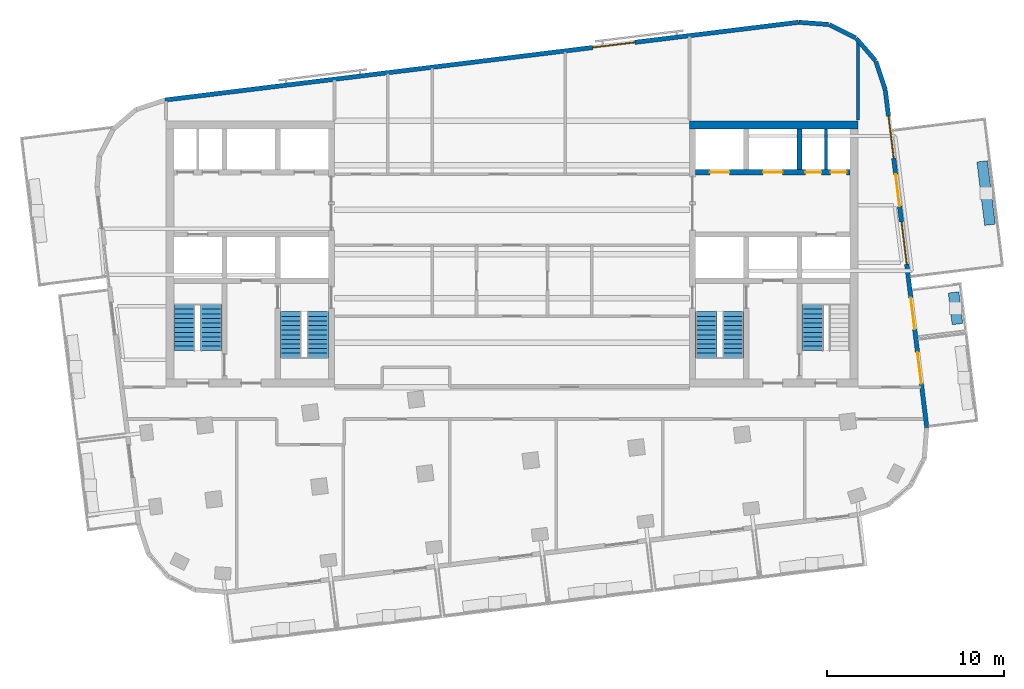
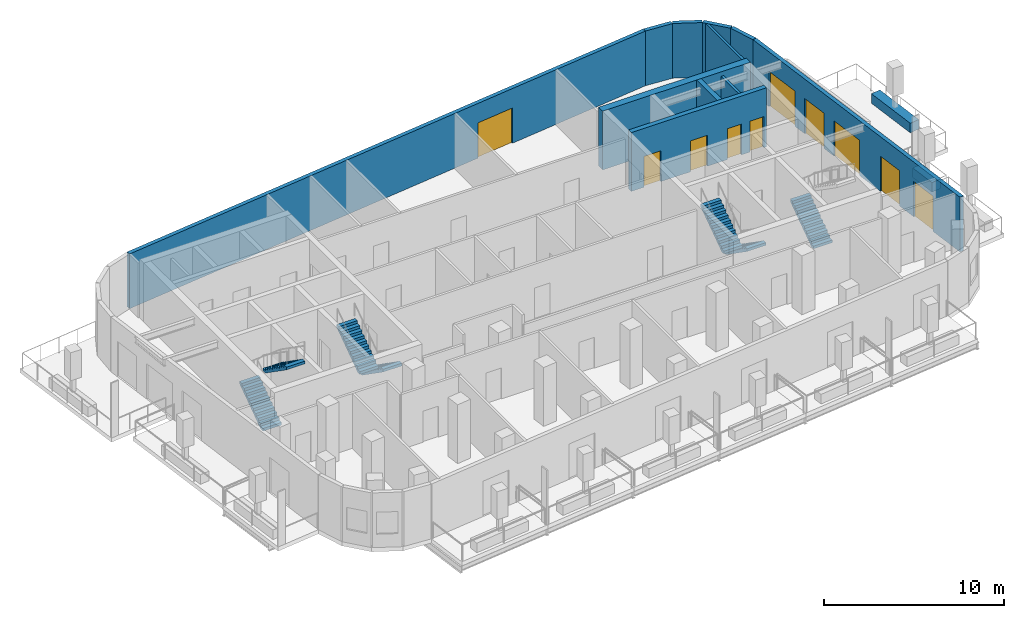
# One storey, part 6 of 10: 13 walls, 7 doors, 7 stair flights, 3 windows, 10 openings, 4 elements without a shape of their own.
"""IFC4 building model written with IfcOpenShell, lengths in metres."""

from ifc_helpers import new_model, si_unit, direction, frame, frame_2d, origin, place, context, subcontext, project, spatial, polyline, rectangle, outline, extrude, material, layer, layer_set, type_object, element, fill, aggregate, save


model = new_model("IFC4")

# Units and contexts
model_context = context("Model", 3, precision=1e-05, world=origin(), true_north=direction((0.0, 1.0)))
body_context = subcontext(model_context, "Body", "Model", "MODEL_VIEW")
ifc_project = project(units=[si_unit("LENGTHUNIT", "METRE"), si_unit("AREAUNIT", "SQUARE_METRE"), si_unit("VOLUMEUNIT", "CUBIC_METRE"), si_unit("PLANEANGLEUNIT", "RADIAN"), si_unit("MASSUNIT", "GRAM", prefix="KILO")], contexts=[model_context])

# Site, building, storey
site_placement = place(None, origin())
site = spatial("IfcSite", under=ifc_project, at=site_placement, CompositionType="ELEMENT")
building_placement = place(site_placement, origin())
building = spatial("IfcBuilding", under=site, at=building_placement, Name="Torana Hotel and Residences", CompositionType="ELEMENT")
storey_placement = place(building_placement, frame((0.0, 0.0, 334.60009765625)))
storey = spatial("IfcBuildingStorey", under=building, at=storey_placement, Name="L88", CompositionType="ELEMENT", Elevation=334.60009765625)

# Wall, openings, doors
ifc_material_1 = material(Name="Concrete C60/75", Category="concrete")
ifc_layer_1 = layer(ifc_material_1, 0.300048828125)
ifc_layer_set_1 = layer_set([ifc_layer_1], Name="CORE WALL 300 C60/75")
wall_type_1 = type_object("IfcWallType", Name="CORE WALL 300 C60/75", PredefinedType="SHEAR", material=ifc_layer_set_1)
wall_1_placement = place(storey_placement, frame((10.35009765625, -2.89990234375, 0.0), z_axis=(0.0, 0.0, 1.0), x_axis=(1.0, 0.0, 0.0)))
wall_1 = element("IfcWall", 1, at=wall_1_placement, inside=storey, type_object=wall_type_1, Name="Core wall E row-N", PredefinedType="SHEAR", context=body_context, shape_type="SweptSolid", body=[
    extrude(rectangle(XDim=8.699951171875, YDim=0.300048828125, at=frame_2d((4.35009765625, 0.0))), origin(), (0.0, 0.0, 1.0), 4.0),
])
opening_1_placement = place(wall_1_placement, frame((0.800048828125, 0.0, 0.0)))
opening_1 = element("IfcOpeningElement", 2, at=opening_1_placement, cuts=wall_1, Name="Opening LD", PredefinedType="OPENING", context=body_context, shape_type="SweptSolid", body=[
    extrude(rectangle(XDim=1.10009765625, YDim=2.10009765625, at=frame_2d((0.550048828125, 1.050048828125))), frame((0.0, 0.159912109375, 0.0), z_axis=(0.0, -1.0, 0.0), x_axis=(1.0, 0.0, 0.0)), (0.0, 0.0, 1.0), 0.320068359375),
])
opening_2_placement = place(wall_1_placement, frame((3.800048828125, 0.0, 0.0)))
opening_2 = element("IfcOpeningElement", 3, at=opening_2_placement, cuts=wall_1, Name="Opening LD", PredefinedType="OPENING", context=body_context, shape_type="SweptSolid", body=[
    extrude(rectangle(XDim=1.10009765625, YDim=2.10009765625, at=frame_2d((0.550048828125, 1.050048828125))), frame((0.0, 0.159912109375, 0.0), z_axis=(0.0, -1.0, 0.0), x_axis=(1.0, 0.0, 0.0)), (0.0, 0.0, 1.0), 0.320068359375),
])
opening_3_placement = place(wall_1_placement, frame((6.1875, 0.0, 0.0)))
opening_3 = element("IfcOpeningElement", 4, at=opening_3_placement, cuts=wall_1, Name="Opening L88-15", PredefinedType="OPENING", context=body_context, shape_type="SweptSolid", body=[
    extrude(rectangle(XDim=0.89990234375, YDim=2.10009765625, at=frame_2d((0.449951171875, 1.050048828125))), frame((0.0, 0.159912109375, 0.0), z_axis=(0.0, -1.0, 0.0), x_axis=(1.0, 0.0, 0.0)), (0.0, 0.0, 1.0), 0.320068359375),
])
opening_4_placement = place(wall_1_placement, frame((7.612548828125, 0.0, 0.0)))
opening_4 = element("IfcOpeningElement", 5, at=opening_4_placement, cuts=wall_1, Name="Opening L88-16", PredefinedType="OPENING", context=body_context, shape_type="SweptSolid", body=[
    extrude(rectangle(XDim=0.89990234375, YDim=2.10009765625, at=frame_2d((0.449951171875, 1.050048828125))), frame((0.0, 0.159912109375, 0.0), z_axis=(0.0, -1.0, 0.0), x_axis=(1.0, 0.0, 0.0)), (0.0, 0.0, 1.0), 0.320068359375),
])
ifc_material_2 = material(Name="Stainless steel 316", Category="steel")
door_type_1 = type_object("IfcDoorType", Name="LIFT LANDING DOOR LD 1100x2100", OperationType="DOUBLE_DOOR_SLIDING", PredefinedType="USERDEFINED", material=ifc_material_2)
door_1_placement = place(opening_1_placement, origin())
door_1 = element("IfcDoor", 6, at=door_1_placement, inside=storey, type_object=door_type_1, Name="Lift landing door H3 L88", ObjectType="LIFT LANDING DOOR", OperationType="DOUBLE_DOOR_SLIDING", OverallHeight=2.10009765625, OverallWidth=1.10009765625, PredefinedType="USERDEFINED", context=body_context, shape_type="SweptSolid", body=[
    extrude(rectangle(XDim=1.10009765625, YDim=2.10009765625, at=frame_2d((0.550048828125, 1.050048828125))), frame((0.0, 0.02490234375, 0.0), z_axis=(0.0, -1.0, 0.0), x_axis=(1.0, 0.0, 0.0)), (0.0, 0.0, 1.0), 0.050048828125),
])
fill(opening_1, door_1)
door_2_placement = place(opening_2_placement, origin())
door_2 = element("IfcDoor", 7, at=door_2_placement, inside=storey, type_object=door_type_1, Name="Lift landing door H4 L88", ObjectType="LIFT LANDING DOOR", OperationType="DOUBLE_DOOR_SLIDING", OverallHeight=2.10009765625, OverallWidth=1.10009765625, PredefinedType="USERDEFINED", context=body_context, shape_type="SweptSolid", body=[
    extrude(rectangle(XDim=1.10009765625, YDim=2.10009765625, at=frame_2d((0.550048828125, 1.050048828125))), frame((0.0, 0.02490234375, 0.0), z_axis=(0.0, -1.0, 0.0), x_axis=(1.0, 0.0, 0.0)), (0.0, 0.0, 1.0), 0.050048828125),
])
fill(opening_2, door_2)
ifc_material_3 = material(Name="Steel S235", Category="steel")
door_type_2 = type_object("IfcDoorType", Name="RISER ACCESS DOOR D5 900x2100", OperationType="SINGLE_SWING_LEFT", PredefinedType="DOOR", material=ifc_material_3)
door_3_placement = place(opening_3_placement, origin())
door_3 = element("IfcDoor", 8, at=door_3_placement, inside=storey, type_object=door_type_2, Name="N2A door L88", OperationType="SINGLE_SWING_RIGHT", OverallHeight=2.10009765625, OverallWidth=0.89990234375, PredefinedType="DOOR", context=body_context, shape_type="SweptSolid", body=[
    extrude(rectangle(XDim=0.89990234375, YDim=2.10009765625, at=frame_2d((0.449951171875, 1.050048828125))), frame((0.0, 0.02490234375, 0.0), z_axis=(0.0, -1.0, 0.0), x_axis=(1.0, 0.0, 0.0)), (0.0, 0.0, 1.0), 0.050048828125),
])
fill(opening_3, door_3)
door_4_placement = place(opening_4_placement, origin())
door_4 = element("IfcDoor", 9, at=door_4_placement, inside=storey, type_object=door_type_2, Name="N2B door L88", OperationType="SINGLE_SWING_RIGHT", OverallHeight=2.10009765625, OverallWidth=0.89990234375, PredefinedType="DOOR", context=body_context, shape_type="SweptSolid", body=[
    extrude(rectangle(XDim=0.89990234375, YDim=2.10009765625, at=frame_2d((0.449951171875, 1.050048828125))), frame((0.0, 0.02490234375, 0.0), z_axis=(0.0, -1.0, 0.0), x_axis=(1.0, 0.0, 0.0)), (0.0, 0.0, 1.0), 0.050048828125),
])
fill(opening_4, door_4)

# Walls
wall_2_placement = place(storey_placement, frame((16.199951171875, -2.75, 0.0), z_axis=(0.0, 0.0, 1.0), x_axis=(0.0, 1.0, 0.0)))
element("IfcWall", 10, at=wall_2_placement, inside=storey, type_object=wall_type_1, Name="Core wall E x6.05-N", PredefinedType="SHEAR", context=body_context, shape_type="SweptSolid", body=[
    extrude(rectangle(XDim=2.300048828125, YDim=0.300048828125, at=frame_2d((1.14990234375, 0.0))), origin(), (0.0, 0.0, 1.0), 4.0),
])
ifc_material_4 = material(Name="Concrete C60/75", Category="concrete")
ifc_layer_2 = layer(ifc_material_4, 0.449951171875)
ifc_layer_set_2 = layer_set([ifc_layer_2], Name="CORE WALL 450 C60/75")
wall_type_2 = type_object("IfcWallType", Name="CORE WALL 450 C60/75", PredefinedType="SHEAR", material=ifc_layer_set_2)
wall_3_placement = place(storey_placement, frame((10.0, -0.22509765625, 0.0), z_axis=(0.0, 0.0, 1.0), x_axis=(1.0, 0.0, 0.0)))
element("IfcWall", 11, at=wall_3_placement, inside=storey, type_object=wall_type_2, Name="Core wall E rear", PredefinedType="SHEAR", context=body_context, shape_type="SweptSolid", body=[
    extrude(rectangle(XDim=9.5, YDim=0.449951171875, at=frame_2d((4.75, 0.0))), origin(), (0.0, 0.0, 1.0), 4.0),
])
ifc_material_5 = material(Name="Black aluminium composite panel", Category="aluminium")
ifc_layer_3 = layer(ifc_material_5, 0.00390625, Name="Cladding", Category="cladding")
ifc_material_6 = material(Name="Ventilated air cavity")
ifc_layer_4 = layer(ifc_material_6, 0.0400390625, Name="Ventilated cavity", Category="cavity")
ifc_material_7 = material(Name="Mineral wool insulation")
ifc_layer_5 = layer(ifc_material_7, 0.090087890625, Name="Insulation", Category="insulation")
ifc_material_8 = material(Name="Steel S280GD", Category="steel")
ifc_layer_6 = layer(ifc_material_8, 0.092041015625, Name="Steel stud frame", Category="structure")
ifc_material_9 = material(Name="Fire rated plasterboard")
ifc_layer_7 = layer(ifc_material_9, 0.011962890625, Name="Inner board", Category="finish")
ifc_layer_8 = layer(ifc_material_9, 0.011962890625, Name="Second board", Category="finish")
ifc_layer_set_3 = layer_set([ifc_layer_3, ifc_layer_4, ifc_layer_5, ifc_layer_6, ifc_layer_7, ifc_layer_8], Name="EW1 EXTERNAL WALL BLACK METAL CLAD 250")
wall_type_3 = type_object("IfcWallType", Name="EW1 EXTERNAL WALL BLACK METAL CLAD 250", PredefinedType="SOLIDWALL", material=ifc_layer_set_3)
wall_4_placement = place(storey_placement, frame((21.035888671875, 1.754638671875, 0.0), z_axis=(0.0, 0.0, 1.0), x_axis=(-0.313046160822, 0.949737911844, 0.0)))
element("IfcWall", 12, at=wall_4_placement, inside=storey, type_object=wall_type_3, Name="External wall L88 e0.0", PredefinedType="SOLIDWALL", context=body_context, shape_type="SweptSolid", body=[
    extrude(rectangle(XDim=1.681396484375, YDim=0.25, at=frame_2d((0.8408203125, 0.0))), origin(), (0.0, 0.0, 1.0), 3.719970703125),
])
for number, where, z_axis, x_axis, name in (
    (13, (20.4853515625, 3.39404296875, 0.0), (0.0, 0.0, 1.0), (-0.652755886531, 0.757568315466, 0.0), "External wall L88 e0.1"),
    (14, (19.36572265625, 4.678955078125, 0.0), (0.0, 0.0, 1.0), (-0.893007580524, 0.450041621549, 0.0), "External wall L88 e0.2"),
):
    element("IfcWall", number, at=place(storey_placement, frame(where, z_axis=z_axis, x_axis=x_axis)), inside=storey, type_object=wall_type_3, Name=name, PredefinedType="SOLIDWALL", context=body_context, shape_type="SweptSolid", body=[
        extrude(rectangle(XDim=1.65625, YDim=0.25, at=frame_2d((0.828125, 0.0))), origin(), (0.0, 0.0, 1.0), 3.719970703125),
    ])
wall_5_placement = place(storey_placement, frame((17.839599609375, 5.4375, 0.0), z_axis=(0.0, 0.0, 1.0), x_axis=(-0.997254267475, 0.074053534713, 0.0)))
element("IfcWall", 15, at=wall_5_placement, inside=storey, type_object=wall_type_3, Name="External wall L88 e0.3", PredefinedType="SOLIDWALL", context=body_context, shape_type="SweptSolid", body=[
    extrude(rectangle(XDim=1.681396484375, YDim=0.25, at=frame_2d((0.8408203125, 0.0))), origin(), (0.0, 0.0, 1.0), 3.719970703125),
])

# Wall, openings, doors, windows
wall_6_placement = place(storey_placement, frame((23.375, -17.277099609375, 0.0), z_axis=(0.0, 0.0, 1.0), x_axis=(-0.121862878281, 0.992546945437, 0.0)))
wall_6 = element("IfcWall", 16, at=wall_6_placement, inside=storey, type_object=wall_type_3, Name="External wall L88 e0.19", PredefinedType="SOLIDWALL", context=body_context, shape_type="SweptSolid", body=[
    extrude(rectangle(XDim=19.150634765625, YDim=0.25, at=frame_2d((9.5751953125, 0.0))), origin(), (0.0, 0.0, 1.0), 3.719970703125),
])
opening_5_placement = place(wall_6_placement, frame((2.479248046875, 0.0, 0.0)))
opening_5 = element("IfcOpeningElement", 17, at=opening_5_placement, cuts=wall_6, Name="Opening L88-E07", PredefinedType="OPENING", context=body_context, shape_type="SweptSolid", body=[
    extrude(rectangle(XDim=1.800048828125, YDim=2.39990234375, at=frame_2d((0.89990234375, 1.199951171875))), frame((0.0, 0.135009765625, 0.0), z_axis=(0.0, -1.0, 0.0), x_axis=(1.0, 0.0, 0.0)), (0.0, 0.0, 1.0), 0.27001953125),
])
opening_6_placement = place(wall_6_placement, frame((5.5751953125, 0.0, 0.0)))
opening_6 = element("IfcOpeningElement", 18, at=opening_6_placement, cuts=wall_6, Name="Opening L88-E08", PredefinedType="OPENING", context=body_context, shape_type="SweptSolid", body=[
    extrude(rectangle(XDim=1.800048828125, YDim=2.39990234375, at=frame_2d((0.89990234375, 1.199951171875))), frame((0.0, 0.135009765625, 0.0), z_axis=(0.0, -1.0, 0.0), x_axis=(1.0, 0.0, 0.0)), (0.0, 0.0, 1.0), 0.27001953125),
])
opening_7_placement = place(wall_6_placement, frame((9.27490234375, 0.0, 0.0)))
opening_7 = element("IfcOpeningElement", 19, at=opening_7_placement, cuts=wall_6, Name="Opening W6", PredefinedType="OPENING", context=body_context, shape_type="SweptSolid", body=[
    extrude(rectangle(XDim=2.39990234375, YDim=2.39990234375, at=frame_2d((1.199951171875, 1.199951171875))), frame((0.0, 0.135009765625, 0.0), z_axis=(0.0, -1.0, 0.0), x_axis=(1.0, 0.0, 0.0)), (0.0, 0.0, 1.0), 0.27001953125),
])
opening_8_placement = place(wall_6_placement, frame((12.575439453125, 0.0, 0.0)))
opening_8 = element("IfcOpeningElement", 20, at=opening_8_placement, cuts=wall_6, Name="Opening L88-E09", PredefinedType="OPENING", context=body_context, shape_type="SweptSolid", body=[
    extrude(rectangle(XDim=1.800048828125, YDim=2.39990234375, at=frame_2d((0.89990234375, 1.199951171875))), frame((0.0, 0.135009765625, 0.0), z_axis=(0.0, -1.0, 0.0), x_axis=(1.0, 0.0, 0.0)), (0.0, 0.0, 1.0), 0.27001953125),
])
opening_9_placement = place(wall_6_placement, frame((15.27587890625, 0.0, 0.0)))
opening_9 = element("IfcOpeningElement", 21, at=opening_9_placement, cuts=wall_6, Name="Opening W6", PredefinedType="OPENING", context=body_context, shape_type="SweptSolid", body=[
    extrude(rectangle(XDim=2.39990234375, YDim=2.39990234375, at=frame_2d((1.199951171875, 1.199951171875))), frame((0.0, 0.135009765625, 0.0), z_axis=(0.0, -1.0, 0.0), x_axis=(1.0, 0.0, 0.0)), (0.0, 0.0, 1.0), 0.27001953125),
])
ifc_material_10 = material(Name="Dark glass in black aluminium frame", Category="aluminium")
door_type_3 = type_object("IfcDoorType", Name="DB1 BALCONY DOOR 1800x2400", OperationType="DOUBLE_DOOR_SINGLE_SWING", PredefinedType="DOOR", material=ifc_material_10)
door_5_placement = place(opening_5_placement, origin())
door_5 = element("IfcDoor", 22, at=door_5_placement, inside=storey, type_object=door_type_3, Name="Balcony door L88", OperationType="DOUBLE_DOOR_SINGLE_SWING", OverallHeight=2.39990234375, OverallWidth=1.800048828125, PredefinedType="DOOR", context=body_context, shape_type="SweptSolid", body=[
    extrude(rectangle(XDim=1.800048828125, YDim=2.39990234375, at=frame_2d((0.89990234375, 1.199951171875))), frame((0.0, 0.02490234375, 0.0), z_axis=(0.0, -1.0, 0.0), x_axis=(1.0, 0.0, 0.0)), (0.0, 0.0, 1.0), 0.050048828125),
])
fill(opening_5, door_5)
door_6_placement = place(opening_6_placement, origin())
door_6 = element("IfcDoor", 23, at=door_6_placement, inside=storey, type_object=door_type_3, Name="Balcony door L88", OperationType="DOUBLE_DOOR_SINGLE_SWING", OverallHeight=2.39990234375, OverallWidth=1.800048828125, PredefinedType="DOOR", context=body_context, shape_type="SweptSolid", body=[
    extrude(rectangle(XDim=1.800048828125, YDim=2.39990234375, at=frame_2d((0.89990234375, 1.199951171875))), frame((0.0, 0.02490234375, 0.0), z_axis=(0.0, -1.0, 0.0), x_axis=(1.0, 0.0, 0.0)), (0.0, 0.0, 1.0), 0.050048828125),
])
fill(opening_6, door_6)
door_7_placement = place(opening_8_placement, origin())
door_7 = element("IfcDoor", 24, at=door_7_placement, inside=storey, type_object=door_type_3, Name="Balcony door L88", OperationType="DOUBLE_DOOR_SINGLE_SWING", OverallHeight=2.39990234375, OverallWidth=1.800048828125, PredefinedType="DOOR", context=body_context, shape_type="SweptSolid", body=[
    extrude(rectangle(XDim=1.800048828125, YDim=2.39990234375, at=frame_2d((0.89990234375, 1.199951171875))), frame((0.0, 0.02490234375, 0.0), z_axis=(0.0, -1.0, 0.0), x_axis=(1.0, 0.0, 0.0)), (0.0, 0.0, 1.0), 0.050048828125),
])
fill(opening_8, door_7)
ifc_material_11 = material(Name="Dark glass in black aluminium frame", Category="aluminium")
window_type = type_object("IfcWindowType", Name="W6 CLUB GLAZED BAY 2400x2400", PartitioningType="SINGLE_PANEL", PredefinedType="WINDOW", material=ifc_material_11)
window_1_placement = place(opening_7_placement, origin())
window_1 = element("IfcWindow", 25, at=window_1_placement, inside=storey, type_object=window_type, Name="Window L88", OverallHeight=2.39990234375, OverallWidth=2.39990234375, PartitioningType="SINGLE_PANEL", PredefinedType="WINDOW", context=body_context, shape_type="SweptSolid", body=[
    extrude(rectangle(XDim=2.39990234375, YDim=2.39990234375, at=frame_2d((1.199951171875, 1.199951171875))), frame((0.0, 0.030029296875, 0.0), z_axis=(0.0, -1.0, 0.0), x_axis=(1.0, 0.0, 0.0)), (0.0, 0.0, 1.0), 0.06005859375),
])
fill(opening_7, window_1)
window_2_placement = place(opening_9_placement, origin())
window_2 = element("IfcWindow", 26, at=window_2_placement, inside=storey, type_object=window_type, Name="Window L88", OverallHeight=2.39990234375, OverallWidth=2.39990234375, PartitioningType="SINGLE_PANEL", PredefinedType="WINDOW", context=body_context, shape_type="SweptSolid", body=[
    extrude(rectangle(XDim=2.39990234375, YDim=2.39990234375, at=frame_2d((1.199951171875, 1.199951171875))), frame((0.0, 0.030029296875, 0.0), z_axis=(0.0, -1.0, 0.0), x_axis=(1.0, 0.0, 0.0)), (0.0, 0.0, 1.0), 0.06005859375),
])
fill(opening_9, window_2)

# Wall, opening, window
ifc_material_12 = material(Name="Concrete C40/50 precast", Category="concrete")
ifc_layer_9 = layer(ifc_material_12, 0.10009765625, Name="Perforated block", Category="cladding")
ifc_material_13 = material(Name="Air cavity")
ifc_layer_10 = layer(ifc_material_13, 0.030029296875, Name="Cavity", Category="cavity")
ifc_material_14 = material(Name="Concrete C40/50", Category="concrete")
ifc_layer_11 = layer(ifc_material_14, 0.10009765625, Name="Wall", Category="structure")
ifc_material_15 = material(Name="Plaster and paint")
ifc_layer_12 = layer(ifc_material_15, 0.02001953125, Name="Inner finish", Category="finish")
ifc_layer_set_4 = layer_set([ifc_layer_9, ifc_layer_10, ifc_layer_11, ifc_layer_12], Name="EW2 PERFORATED BLOCK SCREEN WALL 250")
wall_type_4 = type_object("IfcWallType", Name="EW2 PERFORATED BLOCK SCREEN WALL 250", PredefinedType="SOLIDWALL", material=ifc_layer_set_4)
wall_7_placement = place(storey_placement, frame((16.13818359375, 5.561279296875, 0.0), z_axis=(0.0, 0.0, 1.0), x_axis=(-0.992546726876, -0.121864658405, 0.0)))
wall_7 = element("IfcWall", 27, at=wall_7_placement, inside=storey, type_object=wall_type_4, Name="External wall L88 e0.4", PredefinedType="SOLIDWALL", context=body_context, shape_type="SweptSolid", body=[
    extrude(rectangle(XDim=35.95068359375, YDim=0.25, at=frame_2d((17.975341796875, 0.0))), origin(), (0.0, 0.0, 1.0), 3.719970703125),
])
opening_10_placement = place(wall_7_placement, frame((9.275146484375, 0.0, 0.0)))
opening_10 = element("IfcOpeningElement", 28, at=opening_10_placement, cuts=wall_7, Name="Opening W6", PredefinedType="OPENING", context=body_context, shape_type="SweptSolid", body=[
    extrude(rectangle(XDim=2.39990234375, YDim=2.39990234375, at=frame_2d((1.199951171875, 1.199951171875))), frame((0.0, 0.135009765625, 0.0), z_axis=(0.0, -1.0, 0.0), x_axis=(1.0, 0.0, 0.0)), (0.0, 0.0, 1.0), 0.27001953125),
])
window_3_placement = place(opening_10_placement, origin())
window_3 = element("IfcWindow", 29, at=window_3_placement, inside=storey, type_object=window_type, Name="Window L88", OverallHeight=2.39990234375, OverallWidth=2.39990234375, PartitioningType="SINGLE_PANEL", PredefinedType="WINDOW", context=body_context, shape_type="SweptSolid", body=[
    extrude(rectangle(XDim=2.39990234375, YDim=2.39990234375, at=frame_2d((1.199951171875, 1.199951171875))), frame((0.0, 0.030029296875, 0.0), z_axis=(0.0, -1.0, 0.0), x_axis=(1.0, 0.0, 0.0)), (0.0, 0.0, 1.0), 0.06005859375),
])
fill(opening_10, window_3)

# Walls
ifc_material_16 = material(Name="Gypsum plaster")
ifc_layer_13 = layer(ifc_material_16, 0.014892578125, Name="Plaster", Category="finish")
ifc_material_17 = material(Name="Concrete blockwork", Category="masonry")
ifc_layer_14 = layer(ifc_material_17, 0.1201171875, Name="Blockwork", Category="structure")
ifc_layer_15 = layer(ifc_material_16, 0.014892578125, Name="Plaster", Category="finish")
ifc_layer_set_5 = layer_set([ifc_layer_13, ifc_layer_14, ifc_layer_15], Name="FIRE PARTITION 150 BLOCKWORK")
wall_type_5 = type_object("IfcWallType", Name="FIRE PARTITION 150 BLOCKWORK", PredefinedType="PARTITIONING", material=ifc_layer_set_5)
wall_8_placement = place(storey_placement, frame((17.699951171875, -2.75, 0.0), z_axis=(0.0, 0.0, 1.0), x_axis=(0.0, 1.0, 0.0)))
element("IfcWall", 30, at=wall_8_placement, inside=storey, type_object=wall_type_5, Name="Core partition L88", PredefinedType="PARTITIONING", context=body_context, shape_type="SweptSolid", body=[
    extrude(rectangle(XDim=2.300048828125, YDim=0.14990234375, at=frame_2d((1.14990234375, 0.0))), origin(), (0.0, 0.0, 1.0), 3.699951171875),
])
ifc_material_18 = material(Name="Gypsum plasterboard")
ifc_layer_16 = layer(ifc_material_18, 0.012451171875, Name="Plasterboard", Category="finish")
ifc_layer_17 = layer(ifc_material_18, 0.012451171875, Name="Plasterboard", Category="finish")
ifc_layer_18 = layer(ifc_material_8, 0.10009765625, Name="Steel studs with mineral wool", Category="insulation")
ifc_layer_19 = layer(ifc_material_18, 0.012451171875, Name="Plasterboard", Category="finish")
ifc_layer_20 = layer(ifc_material_18, 0.012451171875, Name="Plasterboard", Category="finish")
ifc_layer_set_6 = layer_set([ifc_layer_16, ifc_layer_17, ifc_layer_18, ifc_layer_19, ifc_layer_20], Name="PARTITION 150 PLASTERBOARD")
wall_type_6 = type_object("IfcWallType", Name="PARTITION 150 PLASTERBOARD", PredefinedType="PARTITIONING", material=ifc_layer_set_6)
wall_9_placement = place(storey_placement, frame((19.5, 0.050048828125, 0.0), z_axis=(0.0, 0.0, 1.0), x_axis=(0.0, 1.0, 0.0)))
element("IfcWall", 31, at=wall_9_placement, inside=storey, type_object=wall_type_6, Name="Partition L88", PredefinedType="PARTITIONING", context=body_context, shape_type="SweptSolid", body=[
    extrude(rectangle(XDim=4.4033203125, YDim=0.14990234375, at=frame_2d((2.20166015625, 0.0))), origin(), (0.0, 0.0, 1.0), 3.719970703125),
])
ifc_layer_21 = layer(ifc_material_12, 0.10009765625, Name="Planter shell", Category="structure")
ifc_material_19 = material(Name="Root resistant membrane")
ifc_layer_22 = layer(ifc_material_19, 0.00390625, Name="Waterproofing membrane", Category="membrane")
ifc_material_20 = material(Name="Drainage board with filter fleece")
ifc_layer_23 = layer(ifc_material_20, 0.02001953125, Name="Drainage board", Category="drainage")
ifc_material_21 = material(Name="Growing medium")
ifc_layer_24 = layer(ifc_material_21, 0.47607421875, Name="Planting substrate", Category="soil")
ifc_layer_set_7 = layer_set([ifc_layer_21, ifc_layer_22, ifc_layer_23, ifc_layer_24], Name="PL1 BALCONY PLANTER 600")
wall_type_7 = type_object("IfcWallType", Name="PL1 BALCONY PLANTER 600", PredefinedType="USERDEFINED", material=ifc_layer_set_7)
wall_10_placement = place(storey_placement, frame((24.88330078125, -9.66162109375, 0.0), z_axis=(0.0, 0.0, 1.0), x_axis=(0.121830336845, -0.992550940267, 0.0)))
element("IfcWall", 32, at=wall_10_placement, inside=storey, type_object=wall_type_7, Name="Planter 11", ObjectType="PLANTER", PredefinedType="USERDEFINED", context=body_context, shape_type="SweptSolid", body=[
    extrude(rectangle(XDim=1.799560546875, YDim=0.60009765625, at=frame_2d((0.89990234375, 0.0))), origin(), (0.0, 0.0, 1.0), 0.64990234375),
])
wall_11_placement = place(storey_placement, frame((26.49560546875, -2.2783203125, 0.0), z_axis=(0.0, 0.0, 1.0), x_axis=(0.121864343918, -0.992546765488, 0.0)))
element("IfcWall", 33, at=wall_11_placement, inside=storey, type_object=wall_type_7, Name="Planter 12", ObjectType="PLANTER", PredefinedType="USERDEFINED", context=body_context, shape_type="SweptSolid", body=[
    extrude(rectangle(XDim=3.60009765625, YDim=0.60009765625, at=frame_2d((1.800048828125, 0.0))), origin(), (0.0, 0.0, 1.0), 0.64990234375),
])

# Stair, stair flights
ifc_material_22 = material(Name="Concrete C40/50 precast", Category="concrete")
stair_type_1 = type_object("IfcStairType", Name="STAIR ST1 HALF TURN 1200", PredefinedType="HALF_TURN_STAIR", material=ifc_material_22)
stair_1_placement = place(storey_placement, origin())
stair_1 = element("IfcStair", 34, at=stair_1_placement, inside=storey, type_object=stair_type_1, Name="Stair ST1 L88", PredefinedType="HALF_TURN_STAIR")
ifc_material_23 = material(Name="Concrete C40/50 precast", Category="concrete")
stair_flight_type = type_object("IfcStairFlightType", Name="STAIR FLIGHT 1200 PRECAST", PredefinedType="STRAIGHT", material=ifc_material_23)
stair_flight_1_placement = place(storey_placement, frame((-10.949951171875, -10.75, 0.0), z_axis=(0.0, 0.0, 1.0), x_axis=(0.0, -1.0, 0.0)))
stair_flight_1 = element("IfcStairFlight", 35, at=stair_flight_1_placement, type_object=stair_flight_type, Name="ST1 flight 1", NumberOfRisers=11, NumberOfTreads=10, PredefinedType="STRAIGHT", RiserHeight=0.181818182, TreadLength=0.26, context=body_context, shape_type="SweptSolid", body=[
    extrude(outline(polyline([(0.0, 0.0), (0.0, 0.181884765625), (0.260009765625, 0.181884765625), (0.260009765625, 0.363525390625), (0.52001953125, 0.363525390625), (0.52001953125, 0.54541015625), (0.780029296875, 0.54541015625), (0.780029296875, 0.727294921875), (1.0400390625, 0.727294921875), (1.0400390625, 0.9091796875), (1.300048828125, 0.9091796875), (1.300048828125, 1.0908203125), (1.56005859375, 1.0908203125), (1.56005859375, 1.272705078125), (1.820068359375, 1.272705078125), (1.820068359375, 1.45458984375), (2.080078125, 1.45458984375), (2.080078125, 1.636474609375), (2.340087890625, 1.636474609375), (2.340087890625, 1.818115234375), (2.60009765625, 1.818115234375), (2.60009765625, 2.0), (2.60009765625, 1.63525390625), (0.261474609375, 0.0), (0.0, 0.0)])), frame((0.0, 0.60009765625, 0.0), z_axis=(0.0, -1.0, 0.0), x_axis=(1.0, 0.0, 0.0)), (0.0, 0.0, 1.0), 1.199951171875),
])
stair_flight_2_placement = place(storey_placement, frame((-12.449951171875, -13.35009765625, 2.0), z_axis=(0.0, 0.0, 1.0), x_axis=(0.0, 1.0, 0.0)))
stair_flight_2 = element("IfcStairFlight", 36, at=stair_flight_2_placement, type_object=stair_flight_type, Name="ST1 flight 2", NumberOfRisers=11, NumberOfTreads=10, PredefinedType="STRAIGHT", RiserHeight=0.181818182, TreadLength=0.26, context=body_context, shape_type="SweptSolid", body=[
    extrude(outline(polyline([(0.0, 0.0), (0.0, 0.181884765625), (0.260009765625, 0.181884765625), (0.260009765625, 0.363525390625), (0.52001953125, 0.363525390625), (0.52001953125, 0.54541015625), (0.780029296875, 0.54541015625), (0.780029296875, 0.727294921875), (1.0400390625, 0.727294921875), (1.0400390625, 0.9091796875), (1.300048828125, 0.9091796875), (1.300048828125, 1.0908203125), (1.56005859375, 1.0908203125), (1.56005859375, 1.272705078125), (1.820068359375, 1.272705078125), (1.820068359375, 1.45458984375), (2.080078125, 1.45458984375), (2.080078125, 1.636474609375), (2.340087890625, 1.636474609375), (2.340087890625, 1.818115234375), (2.60009765625, 1.818115234375), (2.60009765625, 2.0), (2.60009765625, 1.63525390625), (0.261474609375, 0.0), (0.0, 0.0)])), frame((0.0, 0.60009765625, 0.0), z_axis=(0.0, -1.0, 0.0), x_axis=(1.0, 0.0, 0.0)), (0.0, 0.0, 1.0), 1.199951171875),
])
aggregate(stair_1, [stair_flight_1, stair_flight_2])

ifc_material_24 = material(Name="Concrete C40/50 precast", Category="concrete")
stair_type_2 = type_object("IfcStairType", Name="STAIR ST2 HALF TURN 1200", PredefinedType="HALF_TURN_STAIR", material=ifc_material_24)
stair_2_placement = place(storey_placement, origin())
stair_2 = element("IfcStair", 37, at=stair_2_placement, inside=storey, type_object=stair_type_2, Name="Stair ST2 L88", PredefinedType="HALF_TURN_STAIR")
stair_flight_3_placement = place(storey_placement, frame((-18.449951171875, -12.949951171875, 0.0), z_axis=(0.0, 0.0, 1.0), x_axis=(0.0, 1.0, 0.0)))
stair_flight_3 = element("IfcStairFlight", 38, at=stair_flight_3_placement, type_object=stair_flight_type, Name="ST2 flight 1", NumberOfRisers=11, NumberOfTreads=10, PredefinedType="STRAIGHT", RiserHeight=0.181818182, TreadLength=0.26, context=body_context, shape_type="SweptSolid", body=[
    extrude(outline(polyline([(0.0, 0.0), (0.0, 0.181884765625), (0.260009765625, 0.181884765625), (0.260009765625, 0.363525390625), (0.52001953125, 0.363525390625), (0.52001953125, 0.54541015625), (0.780029296875, 0.54541015625), (0.780029296875, 0.727294921875), (1.0400390625, 0.727294921875), (1.0400390625, 0.9091796875), (1.300048828125, 0.9091796875), (1.300048828125, 1.0908203125), (1.56005859375, 1.0908203125), (1.56005859375, 1.272705078125), (1.820068359375, 1.272705078125), (1.820068359375, 1.45458984375), (2.080078125, 1.45458984375), (2.080078125, 1.636474609375), (2.340087890625, 1.636474609375), (2.340087890625, 1.818115234375), (2.60009765625, 1.818115234375), (2.60009765625, 2.0), (2.60009765625, 1.63525390625), (0.261474609375, 0.0), (0.0, 0.0)])), frame((0.0, 0.60009765625, 0.0), z_axis=(0.0, -1.0, 0.0), x_axis=(1.0, 0.0, 0.0)), (0.0, 0.0, 1.0), 1.199951171875),
])
stair_flight_4_placement = place(storey_placement, frame((-16.949951171875, -10.35009765625, 2.0), z_axis=(0.0, 0.0, 1.0), x_axis=(0.0, -1.0, 0.0)))
stair_flight_4 = element("IfcStairFlight", 39, at=stair_flight_4_placement, type_object=stair_flight_type, Name="ST2 flight 2", NumberOfRisers=11, NumberOfTreads=10, PredefinedType="STRAIGHT", RiserHeight=0.181818182, TreadLength=0.26, context=body_context, shape_type="SweptSolid", body=[
    extrude(outline(polyline([(0.0, 0.0), (0.0, 0.181884765625), (0.260009765625, 0.181884765625), (0.260009765625, 0.363525390625), (0.52001953125, 0.363525390625), (0.52001953125, 0.54541015625), (0.780029296875, 0.54541015625), (0.780029296875, 0.727294921875), (1.0400390625, 0.727294921875), (1.0400390625, 0.9091796875), (1.300048828125, 0.9091796875), (1.300048828125, 1.0908203125), (1.56005859375, 1.0908203125), (1.56005859375, 1.272705078125), (1.820068359375, 1.272705078125), (1.820068359375, 1.45458984375), (2.080078125, 1.45458984375), (2.080078125, 1.636474609375), (2.340087890625, 1.636474609375), (2.340087890625, 1.818115234375), (2.60009765625, 1.818115234375), (2.60009765625, 2.0), (2.60009765625, 1.63525390625), (0.261474609375, 0.0), (0.0, 0.0)])), frame((0.0, 0.60009765625, 0.0), z_axis=(0.0, -1.0, 0.0), x_axis=(1.0, 0.0, 0.0)), (0.0, 0.0, 1.0), 1.199951171875),
])
aggregate(stair_2, [stair_flight_3, stair_flight_4])

ifc_material_25 = material(Name="Concrete C40/50 precast", Category="concrete")
stair_type_3 = type_object("IfcStairType", Name="STAIR ST3 HALF TURN 1200", PredefinedType="HALF_TURN_STAIR", material=ifc_material_25)
stair_3_placement = place(storey_placement, origin())
stair_3 = element("IfcStair", 40, at=stair_3_placement, inside=storey, type_object=stair_type_3, Name="Stair ST3 L88", PredefinedType="HALF_TURN_STAIR")
stair_flight_5_placement = place(storey_placement, frame((12.449951171875, -10.75, 0.0), z_axis=(0.0, 0.0, 1.0), x_axis=(0.0, -1.0, 0.0)))
stair_flight_5 = element("IfcStairFlight", 41, at=stair_flight_5_placement, type_object=stair_flight_type, Name="ST3 flight 1", NumberOfRisers=11, NumberOfTreads=10, PredefinedType="STRAIGHT", RiserHeight=0.181818182, TreadLength=0.26, context=body_context, shape_type="SweptSolid", body=[
    extrude(outline(polyline([(0.0, 0.0), (0.0, 0.181884765625), (0.260009765625, 0.181884765625), (0.260009765625, 0.363525390625), (0.52001953125, 0.363525390625), (0.52001953125, 0.54541015625), (0.780029296875, 0.54541015625), (0.780029296875, 0.727294921875), (1.0400390625, 0.727294921875), (1.0400390625, 0.9091796875), (1.300048828125, 0.9091796875), (1.300048828125, 1.0908203125), (1.56005859375, 1.0908203125), (1.56005859375, 1.272705078125), (1.820068359375, 1.272705078125), (1.820068359375, 1.45458984375), (2.080078125, 1.45458984375), (2.080078125, 1.636474609375), (2.340087890625, 1.636474609375), (2.340087890625, 1.818115234375), (2.60009765625, 1.818115234375), (2.60009765625, 2.0), (2.60009765625, 1.63525390625), (0.261474609375, 0.0), (0.0, 0.0)])), frame((0.0, 0.60009765625, 0.0), z_axis=(0.0, -1.0, 0.0), x_axis=(1.0, 0.0, 0.0)), (0.0, 0.0, 1.0), 1.199951171875),
])
stair_flight_6_placement = place(storey_placement, frame((10.949951171875, -13.35009765625, 2.0), z_axis=(0.0, 0.0, 1.0), x_axis=(0.0, 1.0, 0.0)))
stair_flight_6 = element("IfcStairFlight", 42, at=stair_flight_6_placement, type_object=stair_flight_type, Name="ST3 flight 2", NumberOfRisers=11, NumberOfTreads=10, PredefinedType="STRAIGHT", RiserHeight=0.181818182, TreadLength=0.26, context=body_context, shape_type="SweptSolid", body=[
    extrude(outline(polyline([(0.0, 0.0), (0.0, 0.181884765625), (0.260009765625, 0.181884765625), (0.260009765625, 0.363525390625), (0.52001953125, 0.363525390625), (0.52001953125, 0.54541015625), (0.780029296875, 0.54541015625), (0.780029296875, 0.727294921875), (1.0400390625, 0.727294921875), (1.0400390625, 0.9091796875), (1.300048828125, 0.9091796875), (1.300048828125, 1.0908203125), (1.56005859375, 1.0908203125), (1.56005859375, 1.272705078125), (1.820068359375, 1.272705078125), (1.820068359375, 1.45458984375), (2.080078125, 1.45458984375), (2.080078125, 1.636474609375), (2.340087890625, 1.636474609375), (2.340087890625, 1.818115234375), (2.60009765625, 1.818115234375), (2.60009765625, 2.0), (2.60009765625, 1.63525390625), (0.261474609375, 0.0), (0.0, 0.0)])), frame((0.0, 0.60009765625, 0.0), z_axis=(0.0, -1.0, 0.0), x_axis=(1.0, 0.0, 0.0)), (0.0, 0.0, 1.0), 1.199951171875),
])
aggregate(stair_3, [stair_flight_5, stair_flight_6])

# Stair, stair flight
ifc_material_26 = material(Name="Concrete C40/50 precast", Category="concrete")
stair_type_4 = type_object("IfcStairType", Name="STAIR ST4 HALF TURN 1200", PredefinedType="HALF_TURN_STAIR", material=ifc_material_26)
stair_4_placement = place(storey_placement, origin())
stair_4 = element("IfcStair", 43, at=stair_4_placement, inside=storey, type_object=stair_type_4, Name="Stair ST4 L88", PredefinedType="HALF_TURN_STAIR")
stair_flight_7_placement = place(storey_placement, frame((16.949951171875, -12.949951171875, 0.0), z_axis=(0.0, 0.0, 1.0), x_axis=(0.0, 1.0, 0.0)))
stair_flight_7 = element("IfcStairFlight", 44, at=stair_flight_7_placement, type_object=stair_flight_type, Name="ST4 flight 1", NumberOfRisers=11, NumberOfTreads=10, PredefinedType="STRAIGHT", RiserHeight=0.181818182, TreadLength=0.26, context=body_context, shape_type="SweptSolid", body=[
    extrude(outline(polyline([(0.0, 0.0), (0.0, 0.181884765625), (0.260009765625, 0.181884765625), (0.260009765625, 0.363525390625), (0.52001953125, 0.363525390625), (0.52001953125, 0.54541015625), (0.780029296875, 0.54541015625), (0.780029296875, 0.727294921875), (1.0400390625, 0.727294921875), (1.0400390625, 0.9091796875), (1.300048828125, 0.9091796875), (1.300048828125, 1.0908203125), (1.56005859375, 1.0908203125), (1.56005859375, 1.272705078125), (1.820068359375, 1.272705078125), (1.820068359375, 1.45458984375), (2.080078125, 1.45458984375), (2.080078125, 1.636474609375), (2.340087890625, 1.636474609375), (2.340087890625, 1.818115234375), (2.60009765625, 1.818115234375), (2.60009765625, 2.0), (2.60009765625, 1.63525390625), (0.261474609375, 0.0), (0.0, 0.0)])), frame((0.0, 0.60009765625, 0.0), z_axis=(0.0, -1.0, 0.0), x_axis=(1.0, 0.0, 0.0)), (0.0, 0.0, 1.0), 1.199951171875),
])
aggregate(stair_4, [stair_flight_7])

save(model, "model.ifc")
